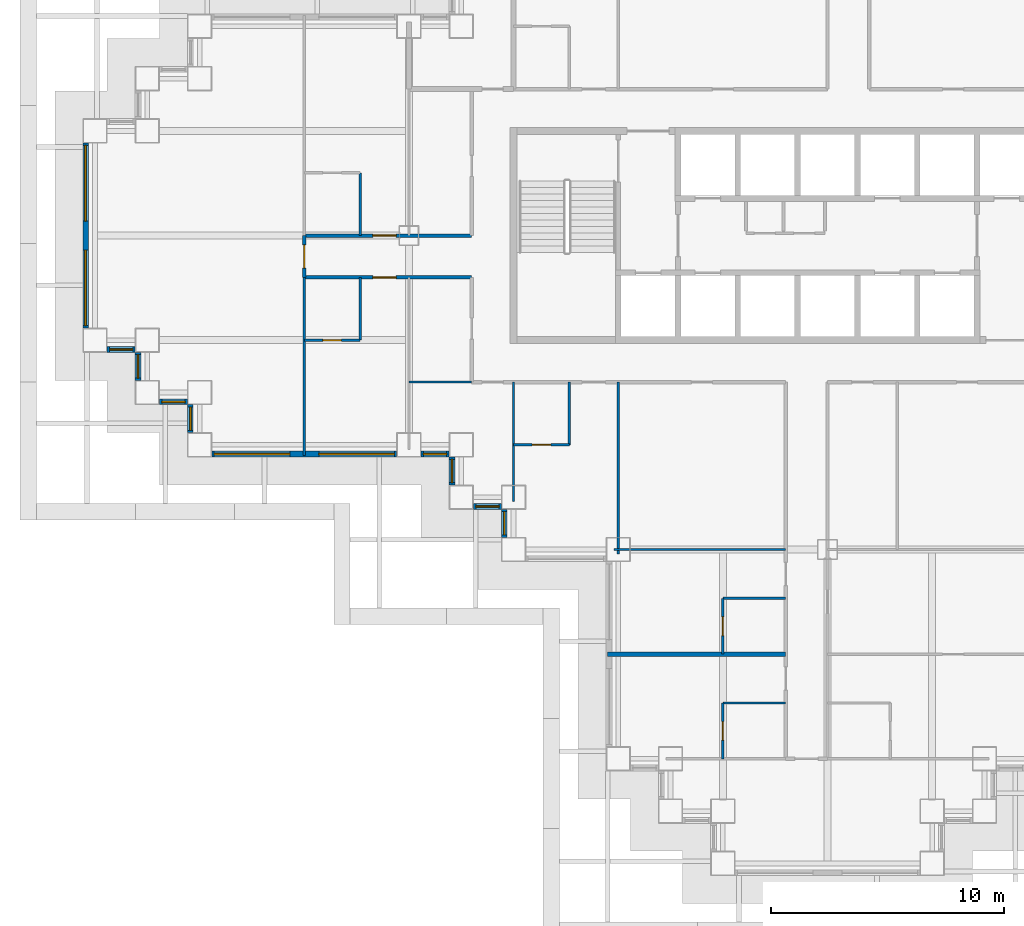
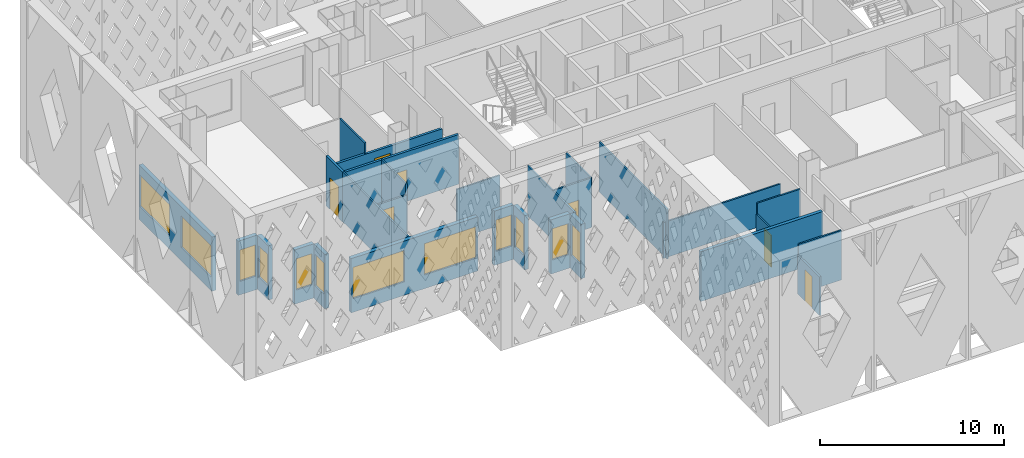
# One storey, part 3 of 19: 28 walls, 12 windows, 7 doors, 19 openings.
"""IFC4 building model written with IfcOpenShell, lengths in metres."""

from ifc_helpers import new_model, si_unit, direction, frame, frame_2d, origin, place, context, subcontext, project, spatial, rectangle, extrude, material, layer, layer_set, type_object, element, fill, save


model = new_model("IFC4")

# Units and contexts
model_context = context("Model", 3, precision=1e-05, world=origin(), true_north=direction((0.0, 1.0)))
body_context = subcontext(model_context, "Body", "Model", "MODEL_VIEW")
ifc_project = project(units=[si_unit("LENGTHUNIT", "METRE"), si_unit("AREAUNIT", "SQUARE_METRE"), si_unit("VOLUMEUNIT", "CUBIC_METRE"), si_unit("PLANEANGLEUNIT", "RADIAN"), si_unit("MASSUNIT", "GRAM", prefix="KILO")], contexts=[model_context])

# Site, building, storey
site_placement = place(None, origin())
site = spatial("IfcSite", under=ifc_project, at=site_placement, CompositionType="ELEMENT")
building_placement = place(site_placement, origin())
building = spatial("IfcBuilding", under=site, at=building_placement, Name="Caravel Reach Hotel and Residences", CompositionType="ELEMENT")
storey_placement = place(building_placement, frame((0.0, 0.0, 52.800048828125)))
storey = spatial("IfcBuildingStorey", under=building, at=storey_placement, Name="L11", CompositionType="ELEMENT", Elevation=52.800048828125)

# Wall
ifc_material_1 = material(Name="Gypsum board on steel stud", Category="steel")
ifc_layer_1 = layer(ifc_material_1, 0.10009765625)
ifc_layer_set_1 = layer_set([ifc_layer_1], Name="Bathroom pod wall 100 mm")
wall_type_1 = type_object("IfcWallType", Name="Bathroom pod wall 100 mm", PredefinedType="PARTITIONING", material=ifc_layer_set_1)
wall_1_placement = place(storey_placement, frame((27.0, 11.39990234375, 0.0), z_axis=(0.0, 0.0, 1.0), x_axis=(1.0, 0.0, 0.0)))
element("IfcWall", 1, at=wall_1_placement, inside=storey, type_object=wall_type_1, Name="L11 wall w074", PredefinedType="PARTITIONING", context=body_context, shape_type="SweptSolid", body=[
    extrude(rectangle(XDim=2.699951171875, YDim=0.10009765625, at=frame_2d((1.35009765625, 0.0))), origin(), (0.0, 0.0, 1.0), 3.300048828125),
])

# Wall, opening, door
wall_2_placement = place(storey_placement, frame((18.0, 18.0, 0.0), z_axis=(0.0, 0.0, 1.0), x_axis=(1.0, 0.0, 0.0)))
wall_2 = element("IfcWall", 2, at=wall_2_placement, inside=storey, type_object=wall_type_1, Name="L11 wall w075", PredefinedType="PARTITIONING", context=body_context, shape_type="SweptSolid", body=[
    extrude(rectangle(XDim=2.39990234375, YDim=0.10009765625, at=frame_2d((1.199951171875, 0.0))), origin(), (0.0, 0.0, 1.0), 3.300048828125),
])
opening_1_placement = place(wall_2_placement, frame((0.800048828125, 0.0, 0.0)))
opening_1 = element("IfcOpeningElement", 3, at=opening_1_placement, cuts=wall_2, Name="Opening D11-048", PredefinedType="OPENING", context=body_context, shape_type="SweptSolid", body=[
    extrude(rectangle(XDim=0.800048828125, YDim=2.10009765625, at=frame_2d((0.39990234375, 1.050048828125))), frame((0.0, 0.06005859375, 0.0), z_axis=(0.0, -1.0, 0.0), x_axis=(1.0, 0.0, 0.0)), (0.0, 0.0, 1.0), 0.1201171875),
])
ifc_material_2 = material(Name="Timber and steel door leaf", Category="steel")
door_type_1 = type_object("IfcDoorType", Name="Bathroom door 800 x 2100", OperationType="SINGLE_SWING_LEFT", PredefinedType="DOOR", material=ifc_material_2)
door_1_placement = place(opening_1_placement, origin())
door_1 = element("IfcDoor", 4, at=door_1_placement, inside=storey, type_object=door_type_1, Name="door D11-048", OperationType="SINGLE_SWING_LEFT", OverallHeight=2.10009765625, OverallWidth=0.800048828125, PredefinedType="DOOR", context=body_context, shape_type="SweptSolid", body=[
    extrude(rectangle(XDim=0.800048828125, YDim=2.10009765625, at=frame_2d((0.39990234375, 1.050048828125))), frame((0.0, 0.02490234375, 0.0), z_axis=(0.0, -1.0, 0.0), x_axis=(1.0, 0.0, 0.0)), (0.0, 0.0, 1.0), 0.050048828125),
])
fill(opening_1, door_1)

wall_3_placement = place(storey_placement, frame((9.0, 22.5, 0.0), z_axis=(0.0, 0.0, 1.0), x_axis=(1.0, 0.0, 0.0)))
wall_3 = element("IfcWall", 5, at=wall_3_placement, inside=storey, type_object=wall_type_1, Name="L11 wall w077", PredefinedType="PARTITIONING", context=body_context, shape_type="SweptSolid", body=[
    extrude(rectangle(XDim=2.39990234375, YDim=0.10009765625, at=frame_2d((1.199951171875, 0.0))), origin(), (0.0, 0.0, 1.0), 2.579833984375),
])
opening_2_placement = place(wall_3_placement, frame((0.800048828125, 0.0, 0.0)))
opening_2 = element("IfcOpeningElement", 6, at=opening_2_placement, cuts=wall_3, Name="Opening D11-017", PredefinedType="OPENING", context=body_context, shape_type="SweptSolid", body=[
    extrude(rectangle(XDim=0.800048828125, YDim=2.10009765625, at=frame_2d((0.39990234375, 1.050048828125))), frame((0.0, 0.06005859375, 0.0), z_axis=(0.0, -1.0, 0.0), x_axis=(1.0, 0.0, 0.0)), (0.0, 0.0, 1.0), 0.1201171875),
])
door_2_placement = place(opening_2_placement, origin())
door_2 = element("IfcDoor", 7, at=door_2_placement, inside=storey, type_object=door_type_1, Name="door D11-017", OperationType="SINGLE_SWING_LEFT", OverallHeight=2.10009765625, OverallWidth=0.800048828125, PredefinedType="DOOR", context=body_context, shape_type="SweptSolid", body=[
    extrude(rectangle(XDim=0.800048828125, YDim=2.10009765625, at=frame_2d((0.39990234375, 1.050048828125))), frame((0.0, 0.02490234375, 0.0), z_axis=(0.0, -1.0, 0.0), x_axis=(1.0, 0.0, 0.0)), (0.0, 0.0, 1.0), 0.050048828125),
])
fill(opening_2, door_2)

# Walls
for number, where, z_axis, x_axis, name in (
    (8, (27.0, 6.89990234375, 0.0), (0.0, 0.0, 1.0), (1.0, 0.0, 0.0), "L11 wall w086"),
    (9, (11.39990234375, 27.0, 0.0), (0.0, 0.0, 1.0), (0.0, 1.0, 0.0), "L11 wall w088"),
    (10, (11.39990234375, 22.5, 0.0), (0.0, 0.0, 1.0), (0.0, 1.0, 0.0), "L11 wall w089"),
    (11, (20.39990234375, 18.0, 0.0), (0.0, 0.0, 1.0), (0.0, 1.0, 0.0), "L11 wall w091"),
):
    element("IfcWall", number, at=place(storey_placement, frame(where, z_axis=z_axis, x_axis=x_axis)), inside=storey, type_object=wall_type_1, Name=name, PredefinedType="PARTITIONING", context=body_context, shape_type="SweptSolid", body=[
        extrude(rectangle(XDim=2.699951171875, YDim=0.10009765625, at=frame_2d((1.35009765625, 0.0))), origin(), (0.0, 0.0, 1.0), 3.300048828125),
    ])

# Wall, opening, door
wall_4_placement = place(storey_placement, frame((27.0, 9.0, 0.0), z_axis=(0.0, 0.0, 1.0), x_axis=(0.0, 1.0, 0.0)))
wall_4 = element("IfcWall", 12, at=wall_4_placement, inside=storey, type_object=wall_type_1, Name="L11 wall w092", PredefinedType="PARTITIONING", context=body_context, shape_type="SweptSolid", body=[
    extrude(rectangle(XDim=2.39990234375, YDim=0.10009765625, at=frame_2d((1.199951171875, 0.0))), origin(), (0.0, 0.0, 1.0), 2.579833984375),
])
opening_3_placement = place(wall_4_placement, frame((0.800048828125, 0.0, 0.0)))
opening_3 = element("IfcOpeningElement", 13, at=opening_3_placement, cuts=wall_4, Name="Opening D11-032", PredefinedType="OPENING", context=body_context, shape_type="SweptSolid", body=[
    extrude(rectangle(XDim=0.800048828125, YDim=2.10009765625, at=frame_2d((0.39990234375, 1.050048828125))), frame((0.0, 0.06005859375, 0.0), z_axis=(0.0, -1.0, 0.0), x_axis=(1.0, 0.0, 0.0)), (0.0, 0.0, 1.0), 0.1201171875),
])
door_3_placement = place(opening_3_placement, origin())
door_3 = element("IfcDoor", 14, at=door_3_placement, inside=storey, type_object=door_type_1, Name="door D11-032", OperationType="SINGLE_SWING_LEFT", OverallHeight=2.10009765625, OverallWidth=0.800048828125, PredefinedType="DOOR", context=body_context, shape_type="SweptSolid", body=[
    extrude(rectangle(XDim=0.800048828125, YDim=2.10009765625, at=frame_2d((0.39990234375, 1.050048828125))), frame((0.0, 0.02490234375, 0.0), z_axis=(0.0, -1.0, 0.0), x_axis=(1.0, 0.0, 0.0)), (0.0, 0.0, 1.0), 0.050048828125),
])
fill(opening_3, door_3)

wall_5_placement = place(storey_placement, frame((27.0, 4.5, 0.0), z_axis=(0.0, 0.0, 1.0), x_axis=(0.0, 1.0, 0.0)))
wall_5 = element("IfcWall", 15, at=wall_5_placement, inside=storey, type_object=wall_type_1, Name="L11 wall w093", PredefinedType="PARTITIONING", context=body_context, shape_type="SweptSolid", body=[
    extrude(rectangle(XDim=2.39990234375, YDim=0.10009765625, at=frame_2d((1.199951171875, 0.0))), origin(), (0.0, 0.0, 1.0), 2.579833984375),
])
opening_4_placement = place(wall_5_placement, frame((0.800048828125, 0.0, 0.0)))
opening_4 = element("IfcOpeningElement", 16, at=opening_4_placement, cuts=wall_5, Name="Opening D11-034", PredefinedType="OPENING", context=body_context, shape_type="SweptSolid", body=[
    extrude(rectangle(XDim=0.800048828125, YDim=2.10009765625, at=frame_2d((0.39990234375, 1.050048828125))), frame((0.0, 0.06005859375, 0.0), z_axis=(0.0, -1.0, 0.0), x_axis=(1.0, 0.0, 0.0)), (0.0, 0.0, 1.0), 0.1201171875),
])
door_4_placement = place(opening_4_placement, origin())
door_4 = element("IfcDoor", 17, at=door_4_placement, inside=storey, type_object=door_type_1, Name="door D11-034", OperationType="SINGLE_SWING_LEFT", OverallHeight=2.10009765625, OverallWidth=0.800048828125, PredefinedType="DOOR", context=body_context, shape_type="SweptSolid", body=[
    extrude(rectangle(XDim=0.800048828125, YDim=2.10009765625, at=frame_2d((0.39990234375, 1.050048828125))), frame((0.0, 0.02490234375, 0.0), z_axis=(0.0, -1.0, 0.0), x_axis=(1.0, 0.0, 0.0)), (0.0, 0.0, 1.0), 0.050048828125),
])
fill(opening_4, door_4)

ifc_material_3 = material(Name="Gypsum board on steel stud, fire-rated", Category="steel")
ifc_layer_2 = layer(ifc_material_3, 0.14990234375)
ifc_layer_set_2 = layer_set([ifc_layer_2], Name="Corridor wall 150 mm EI 60")
wall_type_2 = type_object("IfcWallType", Name="Corridor wall 150 mm EI 60", PredefinedType="PARTITIONING", material=ifc_layer_set_2)
wall_6_placement = place(storey_placement, frame((9.0, 25.199951171875, 0.0), z_axis=(0.0, 0.0, 1.0), x_axis=(1.0, 0.0, 0.0)))
wall_6 = element("IfcWall", 18, at=wall_6_placement, inside=storey, type_object=wall_type_2, Name="L11 wall w008", PredefinedType="PARTITIONING", context=body_context, shape_type="SweptSolid", body=[
    extrude(rectangle(XDim=7.199951171875, YDim=0.14990234375, at=frame_2d((3.60009765625, 0.0))), origin(), (0.0, 0.0, 1.0), 3.300048828125),
])
opening_5_placement = place(wall_6_placement, frame((2.949951171875, 0.0, 0.0)))
opening_5 = element("IfcOpeningElement", 19, at=opening_5_placement, cuts=wall_6, Name="Opening D11-016", PredefinedType="OPENING", context=body_context, shape_type="SweptSolid", body=[
    extrude(rectangle(XDim=1.0, YDim=2.10009765625, at=frame_2d((0.5, 1.050048828125))), frame((0.0, 0.0849609375, 0.0), z_axis=(0.0, -1.0, 0.0), x_axis=(1.0, 0.0, 0.0)), (0.0, 0.0, 1.0), 0.169921875),
])
ifc_material_4 = material(Name="Steel fire door leaf", Category="steel")
door_type_2 = type_object("IfcDoorType", Name="Guest room door 1000 x 2100 EI 30", OperationType="SINGLE_SWING_LEFT", PredefinedType="DOOR", material=ifc_material_4)
door_5_placement = place(opening_5_placement, origin())
door_5 = element("IfcDoor", 20, at=door_5_placement, inside=storey, type_object=door_type_2, Name="door D11-016", OperationType="SINGLE_SWING_RIGHT", OverallHeight=2.10009765625, OverallWidth=1.0, PredefinedType="DOOR", context=body_context, shape_type="SweptSolid", body=[
    extrude(rectangle(XDim=1.0, YDim=2.10009765625, at=frame_2d((0.5, 1.050048828125))), frame((0.0, 0.02490234375, 0.0), z_axis=(0.0, -1.0, 0.0), x_axis=(1.0, 0.0, 0.0)), (0.0, 0.0, 1.0), 0.050048828125),
])
fill(opening_5, door_5)

wall_7_placement = place(storey_placement, frame((9.0, 27.0, 0.0), z_axis=(0.0, 0.0, 1.0), x_axis=(1.0, 0.0, 0.0)))
wall_7 = element("IfcWall", 21, at=wall_7_placement, inside=storey, type_object=wall_type_2, Name="L11 wall w012", PredefinedType="PARTITIONING", context=body_context, shape_type="SweptSolid", body=[
    extrude(rectangle(XDim=7.199951171875, YDim=0.14990234375, at=frame_2d((3.60009765625, 0.0))), origin(), (0.0, 0.0, 1.0), 2.579833984375),
])
opening_6_placement = place(wall_7_placement, frame((2.949951171875, 0.0, 0.0)))
opening_6 = element("IfcOpeningElement", 22, at=opening_6_placement, cuts=wall_7, Name="Opening D11-018", PredefinedType="OPENING", context=body_context, shape_type="SweptSolid", body=[
    extrude(rectangle(XDim=1.0, YDim=2.10009765625, at=frame_2d((0.5, 1.050048828125))), frame((0.0, 0.0849609375, 0.0), z_axis=(0.0, -1.0, 0.0), x_axis=(1.0, 0.0, 0.0)), (0.0, 0.0, 1.0), 0.169921875),
])
door_6_placement = place(opening_6_placement, origin())
door_6 = element("IfcDoor", 23, at=door_6_placement, inside=storey, type_object=door_type_2, Name="door D11-018", OperationType="SINGLE_SWING_RIGHT", OverallHeight=2.10009765625, OverallWidth=1.0, PredefinedType="DOOR", context=body_context, shape_type="SweptSolid", body=[
    extrude(rectangle(XDim=1.0, YDim=2.10009765625, at=frame_2d((0.5, 1.050048828125))), frame((0.0, 0.02490234375, 0.0), z_axis=(0.0, -1.0, 0.0), x_axis=(1.0, 0.0, 0.0)), (0.0, 0.0, 1.0), 0.050048828125),
])
fill(opening_6, door_6)

wall_8_placement = place(storey_placement, frame((9.0, 25.199951171875, 0.0), z_axis=(0.0, 0.0, 1.0), x_axis=(0.0, 1.0, 0.0)))
wall_8 = element("IfcWall", 24, at=wall_8_placement, inside=storey, type_object=wall_type_2, Name="L11 wall w039", PredefinedType="PARTITIONING", context=body_context, shape_type="SweptSolid", body=[
    extrude(rectangle(XDim=1.800048828125, YDim=0.14990234375, at=frame_2d((0.89990234375, 0.0))), origin(), (0.0, 0.0, 1.0), 3.300048828125),
])
opening_7_placement = place(wall_8_placement, frame((0.39990234375, 0.0, 0.0)))
opening_7 = element("IfcOpeningElement", 25, at=opening_7_placement, cuts=wall_8, Name="Opening D11-038", PredefinedType="OPENING", context=body_context, shape_type="SweptSolid", body=[
    extrude(rectangle(XDim=1.0, YDim=2.10009765625, at=frame_2d((0.5, 1.050048828125))), frame((0.0, 0.0849609375, 0.0), z_axis=(0.0, -1.0, 0.0), x_axis=(1.0, 0.0, 0.0)), (0.0, 0.0, 1.0), 0.169921875),
])
door_7_placement = place(opening_7_placement, origin())
door_7 = element("IfcDoor", 26, at=door_7_placement, inside=storey, type_object=door_type_2, Name="door D11-038", OperationType="SINGLE_SWING_RIGHT", OverallHeight=2.10009765625, OverallWidth=1.0, PredefinedType="DOOR", context=body_context, shape_type="SweptSolid", body=[
    extrude(rectangle(XDim=1.0, YDim=2.10009765625, at=frame_2d((0.5, 1.050048828125))), frame((0.0, 0.02490234375, 0.0), z_axis=(0.0, -1.0, 0.0), x_axis=(1.0, 0.0, 0.0)), (0.0, 0.0, 1.0), 0.050048828125),
])
fill(opening_7, door_7)

# Wall, openings, windows
ifc_material_5 = material(Name="Insulated rainscreen wall, aluminium cladding", Category="aluminium")
ifc_layer_3 = layer(ifc_material_5, 0.25)
ifc_layer_set_3 = layer_set([ifc_layer_3], Name="EW1 Tower rainscreen wall")
wall_type_3 = type_object("IfcWallType", Name="EW1 Tower rainscreen wall", PredefinedType="SOLIDWALL", material=ifc_layer_set_3)
wall_9_placement = place(storey_placement, frame((-0.39990234375, 30.97509765625, 0.0), z_axis=(0.0, 0.0, 1.0), x_axis=(0.0, -1.0, 0.0)))
wall_9 = element("IfcWall", 27, at=wall_9_placement, inside=storey, type_object=wall_type_3, Name="External wall L11 W50.1", PredefinedType="SOLIDWALL", context=body_context, shape_type="SweptSolid", body=[
    extrude(rectangle(XDim=7.9501953125, YDim=0.25, at=frame_2d((3.97509765625, 0.0))), origin(), (0.0, 0.0, 1.0), 3.599853515625),
])
opening_8_placement = place(wall_9_placement, frame((0.10009765625, 0.0, 0.89990234375)))
opening_8 = element("IfcOpeningElement", 28, at=opening_8_placement, cuts=wall_9, Name="Opening WN2", PredefinedType="OPENING", context=body_context, shape_type="SweptSolid", body=[
    extrude(rectangle(XDim=3.25, YDim=2.080078125, at=frame_2d((1.625, 1.0400390625))), frame((0.0, 0.135009765625, 0.0), z_axis=(0.0, -1.0, 0.0), x_axis=(1.0, 0.0, 0.0)), (0.0, 0.0, 1.0), 0.27001953125),
])
opening_9_placement = place(wall_9_placement, frame((4.60009765625, 0.0, 0.89990234375)))
opening_9 = element("IfcOpeningElement", 29, at=opening_9_placement, cuts=wall_9, Name="Opening WN2", PredefinedType="OPENING", context=body_context, shape_type="SweptSolid", body=[
    extrude(rectangle(XDim=3.25, YDim=2.080078125, at=frame_2d((1.625, 1.0400390625))), frame((0.0, 0.135009765625, 0.0), z_axis=(0.0, -1.0, 0.0), x_axis=(1.0, 0.0, 0.0)), (0.0, 0.0, 1.0), 0.27001953125),
])
ifc_material_6 = material(Name="Dark low-e glazing in black aluminium frame", Category="aluminium")
window_type_1 = type_object("IfcWindowType", Name="Hotel guest room window 3250 x 2080", PartitioningType="SINGLE_PANEL", PredefinedType="WINDOW", material=ifc_material_6)
window_1_placement = place(opening_8_placement, origin())
window_1 = element("IfcWindow", 30, at=window_1_placement, inside=storey, type_object=window_type_1, Name="Window L11 W50.1.1", OverallHeight=2.080078125, OverallWidth=3.25, PartitioningType="SINGLE_PANEL", PredefinedType="WINDOW", context=body_context, shape_type="SweptSolid", body=[
    extrude(rectangle(XDim=3.25, YDim=2.080078125, at=frame_2d((1.625, 1.0400390625))), frame((0.0, 0.030029296875, 0.0), z_axis=(0.0, -1.0, 0.0), x_axis=(1.0, 0.0, 0.0)), (0.0, 0.0, 1.0), 0.06005859375),
])
fill(opening_8, window_1)
window_2_placement = place(opening_9_placement, origin())
window_2 = element("IfcWindow", 31, at=window_2_placement, inside=storey, type_object=window_type_1, Name="Window L11 W50.1.2", OverallHeight=2.080078125, OverallWidth=3.25, PartitioningType="SINGLE_PANEL", PredefinedType="WINDOW", context=body_context, shape_type="SweptSolid", body=[
    extrude(rectangle(XDim=3.25, YDim=2.080078125, at=frame_2d((1.625, 1.0400390625))), frame((0.0, 0.030029296875, 0.0), z_axis=(0.0, -1.0, 0.0), x_axis=(1.0, 0.0, 0.0)), (0.0, 0.0, 1.0), 0.06005859375),
])
fill(opening_9, window_2)

# Wall, opening, window
wall_10_placement = place(storey_placement, frame((0.52490234375, 22.10009765625, 0.0), z_axis=(0.0, 0.0, 1.0), x_axis=(1.0, 0.0, 0.0)))
wall_10 = element("IfcWall", 32, at=wall_10_placement, inside=storey, type_object=wall_type_3, Name="External wall L11 S51.1", PredefinedType="SOLIDWALL", context=body_context, shape_type="SweptSolid", body=[
    extrude(rectangle(XDim=1.2001953125, YDim=0.25, at=frame_2d((0.60009765625, 0.0))), origin(), (0.0, 0.0, 1.0), 3.599853515625),
])
opening_10_placement = place(wall_10_placement, frame((0.10009765625, 0.0, 0.89990234375)))
opening_10 = element("IfcOpeningElement", 33, at=opening_10_placement, cuts=wall_10, Name="Opening WN1", PredefinedType="OPENING", context=body_context, shape_type="SweptSolid", body=[
    extrude(rectangle(XDim=1.0, YDim=2.080078125, at=frame_2d((0.5, 1.0400390625))), frame((0.0, 0.135009765625, 0.0), z_axis=(0.0, -1.0, 0.0), x_axis=(1.0, 0.0, 0.0)), (0.0, 0.0, 1.0), 0.27001953125),
])
ifc_material_7 = material(Name="Dark low-e glazing in black aluminium frame", Category="aluminium")
window_type_2 = type_object("IfcWindowType", Name="Hotel suite corner window 1000 x 2080", PartitioningType="SINGLE_PANEL", PredefinedType="WINDOW", material=ifc_material_7)
window_3_placement = place(opening_10_placement, origin())
window_3 = element("IfcWindow", 34, at=window_3_placement, inside=storey, type_object=window_type_2, Name="Window L11 S51.1.1", OverallHeight=2.080078125, OverallWidth=1.0, PartitioningType="SINGLE_PANEL", PredefinedType="WINDOW", context=body_context, shape_type="SweptSolid", body=[
    extrude(rectangle(XDim=1.0, YDim=2.080078125, at=frame_2d((0.5, 1.0400390625))), frame((0.0, 0.030029296875, 0.0), z_axis=(0.0, -1.0, 0.0), x_axis=(1.0, 0.0, 0.0)), (0.0, 0.0, 1.0), 0.06005859375),
])
fill(opening_10, window_3)

wall_11_placement = place(storey_placement, frame((1.85009765625, 21.97509765625, 0.0), z_axis=(0.0, 0.0, 1.0), x_axis=(0.0, -1.0, 0.0)))
wall_11 = element("IfcWall", 35, at=wall_11_placement, inside=storey, type_object=wall_type_3, Name="External wall L11 W52.1", PredefinedType="SOLIDWALL", context=body_context, shape_type="SweptSolid", body=[
    extrude(rectangle(XDim=1.2001953125, YDim=0.25, at=frame_2d((0.60009765625, 0.0))), origin(), (0.0, 0.0, 1.0), 3.599853515625),
])
opening_11_placement = place(wall_11_placement, frame((0.10009765625, 0.0, 0.89990234375)))
opening_11 = element("IfcOpeningElement", 36, at=opening_11_placement, cuts=wall_11, Name="Opening WN1", PredefinedType="OPENING", context=body_context, shape_type="SweptSolid", body=[
    extrude(rectangle(XDim=1.0, YDim=2.080078125, at=frame_2d((0.5, 1.0400390625))), frame((0.0, 0.135009765625, 0.0), z_axis=(0.0, -1.0, 0.0), x_axis=(1.0, 0.0, 0.0)), (0.0, 0.0, 1.0), 0.27001953125),
])
window_4_placement = place(opening_11_placement, origin())
window_4 = element("IfcWindow", 37, at=window_4_placement, inside=storey, type_object=window_type_2, Name="Window L11 W52.1.1", OverallHeight=2.080078125, OverallWidth=1.0, PartitioningType="SINGLE_PANEL", PredefinedType="WINDOW", context=body_context, shape_type="SweptSolid", body=[
    extrude(rectangle(XDim=1.0, YDim=2.080078125, at=frame_2d((0.5, 1.0400390625))), frame((0.0, 0.030029296875, 0.0), z_axis=(0.0, -1.0, 0.0), x_axis=(1.0, 0.0, 0.0)), (0.0, 0.0, 1.0), 0.06005859375),
])
fill(opening_11, window_4)

wall_12_placement = place(storey_placement, frame((2.77490234375, 19.85009765625, 0.0), z_axis=(0.0, 0.0, 1.0), x_axis=(1.0, 0.0, 0.0)))
wall_12 = element("IfcWall", 38, at=wall_12_placement, inside=storey, type_object=wall_type_3, Name="External wall L11 S53.1", PredefinedType="SOLIDWALL", context=body_context, shape_type="SweptSolid", body=[
    extrude(rectangle(XDim=1.2001953125, YDim=0.25, at=frame_2d((0.60009765625, 0.0))), origin(), (0.0, 0.0, 1.0), 3.599853515625),
])
opening_12_placement = place(wall_12_placement, frame((0.10009765625, 0.0, 0.89990234375)))
opening_12 = element("IfcOpeningElement", 39, at=opening_12_placement, cuts=wall_12, Name="Opening WN1", PredefinedType="OPENING", context=body_context, shape_type="SweptSolid", body=[
    extrude(rectangle(XDim=1.0, YDim=2.080078125, at=frame_2d((0.5, 1.0400390625))), frame((0.0, 0.135009765625, 0.0), z_axis=(0.0, -1.0, 0.0), x_axis=(1.0, 0.0, 0.0)), (0.0, 0.0, 1.0), 0.27001953125),
])
window_5_placement = place(opening_12_placement, origin())
window_5 = element("IfcWindow", 40, at=window_5_placement, inside=storey, type_object=window_type_2, Name="Window L11 S53.1.1", OverallHeight=2.080078125, OverallWidth=1.0, PartitioningType="SINGLE_PANEL", PredefinedType="WINDOW", context=body_context, shape_type="SweptSolid", body=[
    extrude(rectangle(XDim=1.0, YDim=2.080078125, at=frame_2d((0.5, 1.0400390625))), frame((0.0, 0.030029296875, 0.0), z_axis=(0.0, -1.0, 0.0), x_axis=(1.0, 0.0, 0.0)), (0.0, 0.0, 1.0), 0.06005859375),
])
fill(opening_12, window_5)

wall_13_placement = place(storey_placement, frame((4.10009765625, 19.72509765625, 0.0), z_axis=(0.0, 0.0, 1.0), x_axis=(0.0, -1.0, 0.0)))
wall_13 = element("IfcWall", 41, at=wall_13_placement, inside=storey, type_object=wall_type_3, Name="External wall L11 W54.1", PredefinedType="SOLIDWALL", context=body_context, shape_type="SweptSolid", body=[
    extrude(rectangle(XDim=1.2001953125, YDim=0.25, at=frame_2d((0.60009765625, 0.0))), origin(), (0.0, 0.0, 1.0), 3.599853515625),
])
opening_13_placement = place(wall_13_placement, frame((0.10009765625, 0.0, 0.89990234375)))
opening_13 = element("IfcOpeningElement", 42, at=opening_13_placement, cuts=wall_13, Name="Opening WN1", PredefinedType="OPENING", context=body_context, shape_type="SweptSolid", body=[
    extrude(rectangle(XDim=1.0, YDim=2.080078125, at=frame_2d((0.5, 1.0400390625))), frame((0.0, 0.135009765625, 0.0), z_axis=(0.0, -1.0, 0.0), x_axis=(1.0, 0.0, 0.0)), (0.0, 0.0, 1.0), 0.27001953125),
])
window_6_placement = place(opening_13_placement, origin())
window_6 = element("IfcWindow", 43, at=window_6_placement, inside=storey, type_object=window_type_2, Name="Window L11 W54.1.1", OverallHeight=2.080078125, OverallWidth=1.0, PartitioningType="SINGLE_PANEL", PredefinedType="WINDOW", context=body_context, shape_type="SweptSolid", body=[
    extrude(rectangle(XDim=1.0, YDim=2.080078125, at=frame_2d((0.5, 1.0400390625))), frame((0.0, 0.030029296875, 0.0), z_axis=(0.0, -1.0, 0.0), x_axis=(1.0, 0.0, 0.0)), (0.0, 0.0, 1.0), 0.06005859375),
])
fill(opening_13, window_6)

# Wall, openings, windows
wall_14_placement = place(storey_placement, frame((5.02490234375, 17.60009765625, 0.0), z_axis=(0.0, 0.0, 1.0), x_axis=(1.0, 0.0, 0.0)))
wall_14 = element("IfcWall", 44, at=wall_14_placement, inside=storey, type_object=wall_type_3, Name="External wall L11 S55.1", PredefinedType="SOLIDWALL", context=body_context, shape_type="SweptSolid", body=[
    extrude(rectangle(XDim=7.9501953125, YDim=0.25, at=frame_2d((3.97509765625, 0.0))), origin(), (0.0, 0.0, 1.0), 3.599853515625),
])
opening_14_placement = place(wall_14_placement, frame((0.10009765625, 0.0, 0.89990234375)))
opening_14 = element("IfcOpeningElement", 45, at=opening_14_placement, cuts=wall_14, Name="Opening WN2", PredefinedType="OPENING", context=body_context, shape_type="SweptSolid", body=[
    extrude(rectangle(XDim=3.25, YDim=2.080078125, at=frame_2d((1.625, 1.0400390625))), frame((0.0, 0.135009765625, 0.0), z_axis=(0.0, -1.0, 0.0), x_axis=(1.0, 0.0, 0.0)), (0.0, 0.0, 1.0), 0.27001953125),
])
opening_15_placement = place(wall_14_placement, frame((4.60009765625, 0.0, 0.89990234375)))
opening_15 = element("IfcOpeningElement", 46, at=opening_15_placement, cuts=wall_14, Name="Opening WN2", PredefinedType="OPENING", context=body_context, shape_type="SweptSolid", body=[
    extrude(rectangle(XDim=3.25, YDim=2.080078125, at=frame_2d((1.625, 1.0400390625))), frame((0.0, 0.135009765625, 0.0), z_axis=(0.0, -1.0, 0.0), x_axis=(1.0, 0.0, 0.0)), (0.0, 0.0, 1.0), 0.27001953125),
])
window_7_placement = place(opening_14_placement, origin())
window_7 = element("IfcWindow", 47, at=window_7_placement, inside=storey, type_object=window_type_1, Name="Window L11 S55.1.1", OverallHeight=2.080078125, OverallWidth=3.25, PartitioningType="SINGLE_PANEL", PredefinedType="WINDOW", context=body_context, shape_type="SweptSolid", body=[
    extrude(rectangle(XDim=3.25, YDim=2.080078125, at=frame_2d((1.625, 1.0400390625))), frame((0.0, 0.030029296875, 0.0), z_axis=(0.0, -1.0, 0.0), x_axis=(1.0, 0.0, 0.0)), (0.0, 0.0, 1.0), 0.06005859375),
])
fill(opening_14, window_7)
window_8_placement = place(opening_15_placement, origin())
window_8 = element("IfcWindow", 48, at=window_8_placement, inside=storey, type_object=window_type_1, Name="Window L11 S55.1.2", OverallHeight=2.080078125, OverallWidth=3.25, PartitioningType="SINGLE_PANEL", PredefinedType="WINDOW", context=body_context, shape_type="SweptSolid", body=[
    extrude(rectangle(XDim=3.25, YDim=2.080078125, at=frame_2d((1.625, 1.0400390625))), frame((0.0, 0.030029296875, 0.0), z_axis=(0.0, -1.0, 0.0), x_axis=(1.0, 0.0, 0.0)), (0.0, 0.0, 1.0), 0.06005859375),
])
fill(opening_15, window_8)

# Wall, opening, window
wall_15_placement = place(storey_placement, frame((14.02490234375, 17.60009765625, 0.0), z_axis=(0.0, 0.0, 1.0), x_axis=(1.0, 0.0, 0.0)))
wall_15 = element("IfcWall", 49, at=wall_15_placement, inside=storey, type_object=wall_type_3, Name="External wall L11 S55.2", PredefinedType="SOLIDWALL", context=body_context, shape_type="SweptSolid", body=[
    extrude(rectangle(XDim=1.2001953125, YDim=0.25, at=frame_2d((0.60009765625, 0.0))), origin(), (0.0, 0.0, 1.0), 3.599853515625),
])
opening_16_placement = place(wall_15_placement, frame((0.10009765625, 0.0, 0.89990234375)))
opening_16 = element("IfcOpeningElement", 50, at=opening_16_placement, cuts=wall_15, Name="Opening WN1", PredefinedType="OPENING", context=body_context, shape_type="SweptSolid", body=[
    extrude(rectangle(XDim=1.0, YDim=2.080078125, at=frame_2d((0.5, 1.0400390625))), frame((0.0, 0.135009765625, 0.0), z_axis=(0.0, -1.0, 0.0), x_axis=(1.0, 0.0, 0.0)), (0.0, 0.0, 1.0), 0.27001953125),
])
window_9_placement = place(opening_16_placement, origin())
window_9 = element("IfcWindow", 51, at=window_9_placement, inside=storey, type_object=window_type_2, Name="Window L11 S55.2.1", OverallHeight=2.080078125, OverallWidth=1.0, PartitioningType="SINGLE_PANEL", PredefinedType="WINDOW", context=body_context, shape_type="SweptSolid", body=[
    extrude(rectangle(XDim=1.0, YDim=2.080078125, at=frame_2d((0.5, 1.0400390625))), frame((0.0, 0.030029296875, 0.0), z_axis=(0.0, -1.0, 0.0), x_axis=(1.0, 0.0, 0.0)), (0.0, 0.0, 1.0), 0.06005859375),
])
fill(opening_16, window_9)

wall_16_placement = place(storey_placement, frame((15.35009765625, 17.47509765625, 0.0), z_axis=(0.0, 0.0, 1.0), x_axis=(0.0, -1.0, 0.0)))
wall_16 = element("IfcWall", 52, at=wall_16_placement, inside=storey, type_object=wall_type_3, Name="External wall L11 W56.1", PredefinedType="SOLIDWALL", context=body_context, shape_type="SweptSolid", body=[
    extrude(rectangle(XDim=1.2001953125, YDim=0.25, at=frame_2d((0.60009765625, 0.0))), origin(), (0.0, 0.0, 1.0), 3.599853515625),
])
opening_17_placement = place(wall_16_placement, frame((0.10009765625, 0.0, 0.89990234375)))
opening_17 = element("IfcOpeningElement", 53, at=opening_17_placement, cuts=wall_16, Name="Opening WN1", PredefinedType="OPENING", context=body_context, shape_type="SweptSolid", body=[
    extrude(rectangle(XDim=1.0, YDim=2.080078125, at=frame_2d((0.5, 1.0400390625))), frame((0.0, 0.135009765625, 0.0), z_axis=(0.0, -1.0, 0.0), x_axis=(1.0, 0.0, 0.0)), (0.0, 0.0, 1.0), 0.27001953125),
])
window_10_placement = place(opening_17_placement, origin())
window_10 = element("IfcWindow", 54, at=window_10_placement, inside=storey, type_object=window_type_2, Name="Window L11 W56.1.1", OverallHeight=2.080078125, OverallWidth=1.0, PartitioningType="SINGLE_PANEL", PredefinedType="WINDOW", context=body_context, shape_type="SweptSolid", body=[
    extrude(rectangle(XDim=1.0, YDim=2.080078125, at=frame_2d((0.5, 1.0400390625))), frame((0.0, 0.030029296875, 0.0), z_axis=(0.0, -1.0, 0.0), x_axis=(1.0, 0.0, 0.0)), (0.0, 0.0, 1.0), 0.06005859375),
])
fill(opening_17, window_10)

wall_17_placement = place(storey_placement, frame((16.27490234375, 15.35009765625, 0.0), z_axis=(0.0, 0.0, 1.0), x_axis=(1.0, 0.0, 0.0)))
wall_17 = element("IfcWall", 55, at=wall_17_placement, inside=storey, type_object=wall_type_3, Name="External wall L11 S57.1", PredefinedType="SOLIDWALL", context=body_context, shape_type="SweptSolid", body=[
    extrude(rectangle(XDim=1.2001953125, YDim=0.25, at=frame_2d((0.60009765625, 0.0))), origin(), (0.0, 0.0, 1.0), 3.599853515625),
])
opening_18_placement = place(wall_17_placement, frame((0.10009765625, 0.0, 0.89990234375)))
opening_18 = element("IfcOpeningElement", 56, at=opening_18_placement, cuts=wall_17, Name="Opening WN1", PredefinedType="OPENING", context=body_context, shape_type="SweptSolid", body=[
    extrude(rectangle(XDim=1.0, YDim=2.080078125, at=frame_2d((0.5, 1.0400390625))), frame((0.0, 0.135009765625, 0.0), z_axis=(0.0, -1.0, 0.0), x_axis=(1.0, 0.0, 0.0)), (0.0, 0.0, 1.0), 0.27001953125),
])
window_11_placement = place(opening_18_placement, origin())
window_11 = element("IfcWindow", 57, at=window_11_placement, inside=storey, type_object=window_type_2, Name="Window L11 S57.1.1", OverallHeight=2.080078125, OverallWidth=1.0, PartitioningType="SINGLE_PANEL", PredefinedType="WINDOW", context=body_context, shape_type="SweptSolid", body=[
    extrude(rectangle(XDim=1.0, YDim=2.080078125, at=frame_2d((0.5, 1.0400390625))), frame((0.0, 0.030029296875, 0.0), z_axis=(0.0, -1.0, 0.0), x_axis=(1.0, 0.0, 0.0)), (0.0, 0.0, 1.0), 0.06005859375),
])
fill(opening_18, window_11)

wall_18_placement = place(storey_placement, frame((17.60009765625, 15.22509765625, 0.0), z_axis=(0.0, 0.0, 1.0), x_axis=(0.0, -1.0, 0.0)))
wall_18 = element("IfcWall", 58, at=wall_18_placement, inside=storey, type_object=wall_type_3, Name="External wall L11 W58.1", PredefinedType="SOLIDWALL", context=body_context, shape_type="SweptSolid", body=[
    extrude(rectangle(XDim=1.2001953125, YDim=0.25, at=frame_2d((0.60009765625, 0.0))), origin(), (0.0, 0.0, 1.0), 3.599853515625),
])
opening_19_placement = place(wall_18_placement, frame((0.10009765625, 0.0, 0.89990234375)))
opening_19 = element("IfcOpeningElement", 59, at=opening_19_placement, cuts=wall_18, Name="Opening WN1", PredefinedType="OPENING", context=body_context, shape_type="SweptSolid", body=[
    extrude(rectangle(XDim=1.0, YDim=2.080078125, at=frame_2d((0.5, 1.0400390625))), frame((0.0, 0.135009765625, 0.0), z_axis=(0.0, -1.0, 0.0), x_axis=(1.0, 0.0, 0.0)), (0.0, 0.0, 1.0), 0.27001953125),
])
window_12_placement = place(opening_19_placement, origin())
window_12 = element("IfcWindow", 60, at=window_12_placement, inside=storey, type_object=window_type_2, Name="Window L11 W58.1.1", OverallHeight=2.080078125, OverallWidth=1.0, PartitioningType="SINGLE_PANEL", PredefinedType="WINDOW", context=body_context, shape_type="SweptSolid", body=[
    extrude(rectangle(XDim=1.0, YDim=2.080078125, at=frame_2d((0.5, 1.0400390625))), frame((0.0, 0.030029296875, 0.0), z_axis=(0.0, -1.0, 0.0), x_axis=(1.0, 0.0, 0.0)), (0.0, 0.0, 1.0), 0.06005859375),
])
fill(opening_19, window_12)

# Walls
ifc_material_8 = material(Name="Gypsum board on steel stud", Category="steel")
ifc_layer_4 = layer(ifc_material_8, 0.10009765625)
ifc_layer_set_4 = layer_set([ifc_layer_4], Name="Partition 100 mm")
wall_type_4 = type_object("IfcWallType", Name="Partition 100 mm", PredefinedType="PARTITIONING", material=ifc_layer_set_4)
wall_19_placement = place(storey_placement, frame((22.31005859375, 13.5, 0.0), z_axis=(0.0, 0.0, 1.0), x_axis=(1.0, 0.0, 0.0)))
element("IfcWall", 61, at=wall_19_placement, inside=storey, type_object=wall_type_4, Name="L11 wall w040", PredefinedType="PARTITIONING", context=body_context, shape_type="SweptSolid", body=[
    extrude(rectangle(XDim=7.389892578125, YDim=0.10009765625, at=frame_2d((3.69482421875, 0.0))), origin(), (0.0, 0.0, 1.0), 2.3798828125),
])
wall_20_placement = place(storey_placement, frame((13.5, 20.699951171875, 0.0), z_axis=(0.0, 0.0, 1.0), x_axis=(1.0, 0.0, 0.0)))
element("IfcWall", 62, at=wall_20_placement, inside=storey, type_object=wall_type_4, Name="L11 wall w043", PredefinedType="PARTITIONING", context=body_context, shape_type="SweptSolid", body=[
    extrude(rectangle(XDim=2.699951171875, YDim=0.10009765625, at=frame_2d((1.35009765625, 0.0))), origin(), (0.0, 0.0, 1.0), 3.300048828125),
])
wall_21_placement = place(storey_placement, frame((18.0, 15.56005859375, 0.0), z_axis=(0.0, 0.0, 1.0), x_axis=(0.0, 1.0, 0.0)))
element("IfcWall", 63, at=wall_21_placement, inside=storey, type_object=wall_type_4, Name="L11 wall w056", PredefinedType="PARTITIONING", context=body_context, shape_type="SweptSolid", body=[
    extrude(rectangle(XDim=5.139892578125, YDim=0.10009765625, at=frame_2d((2.56982421875, 0.0))), origin(), (0.0, 0.0, 1.0), 3.300048828125),
])
wall_22_placement = place(storey_placement, frame((22.5, 13.31005859375, 0.0), z_axis=(0.0, 0.0, 1.0), x_axis=(0.0, 1.0, 0.0)))
element("IfcWall", 64, at=wall_22_placement, inside=storey, type_object=wall_type_4, Name="L11 wall w058", PredefinedType="PARTITIONING", context=body_context, shape_type="SweptSolid", body=[
    extrude(rectangle(XDim=7.389892578125, YDim=0.10009765625, at=frame_2d((3.69482421875, 0.0))), origin(), (0.0, 0.0, 1.0), 3.300048828125),
])
wall_23_placement = place(storey_placement, frame((9.0, 17.534912109375, 0.0), z_axis=(0.0, 0.0, 1.0), x_axis=(0.0, 1.0, 0.0)))
element("IfcWall", 65, at=wall_23_placement, inside=storey, type_object=wall_type_4, Name="L11 wall w070", PredefinedType="PARTITIONING", context=body_context, shape_type="SweptSolid", body=[
    extrude(rectangle(XDim=7.6650390625, YDim=0.10009765625, at=frame_2d((3.83251953125, 0.0))), origin(), (0.0, 0.0, 1.0), 3.300048828125),
])
ifc_material_9 = material(Name="Autoclaved aerated block wall")
ifc_layer_5 = layer(ifc_material_9, 0.199951171875)
ifc_layer_set_5 = layer_set([ifc_layer_5], Name="Party wall 200 mm EI 60")
wall_type_5 = type_object("IfcWallType", Name="Party wall 200 mm EI 60", PredefinedType="PARTITIONING", material=ifc_layer_set_5)
wall_24_placement = place(storey_placement, frame((22.034912109375, 9.0, 0.0), z_axis=(0.0, 0.0, 1.0), x_axis=(1.0, 0.0, 0.0)))
element("IfcWall", 66, at=wall_24_placement, inside=storey, type_object=wall_type_5, Name="L11 wall w071", PredefinedType="PARTITIONING", context=body_context, shape_type="SweptSolid", body=[
    extrude(rectangle(XDim=7.6650390625, YDim=0.199951171875, at=frame_2d((3.83251953125, 0.0))), origin(), (0.0, 0.0, 1.0), 3.300048828125),
])

save(model, "model.ifc")
